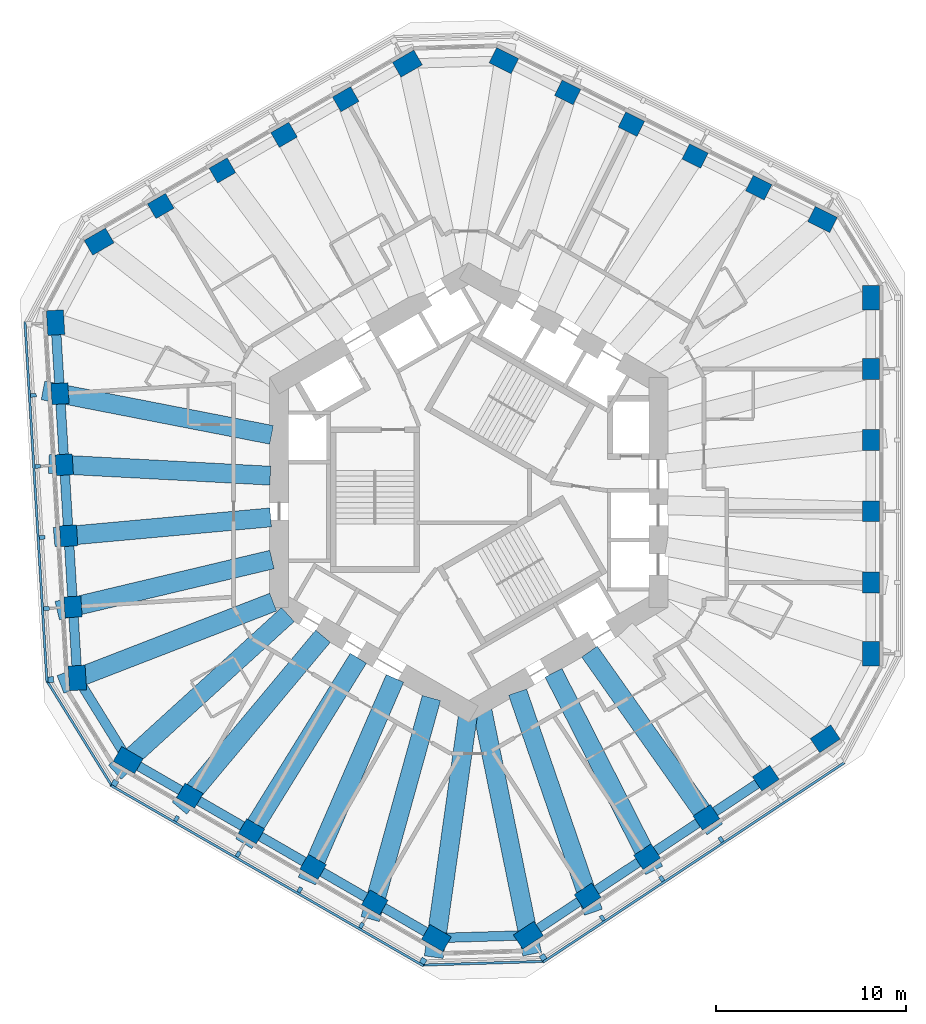
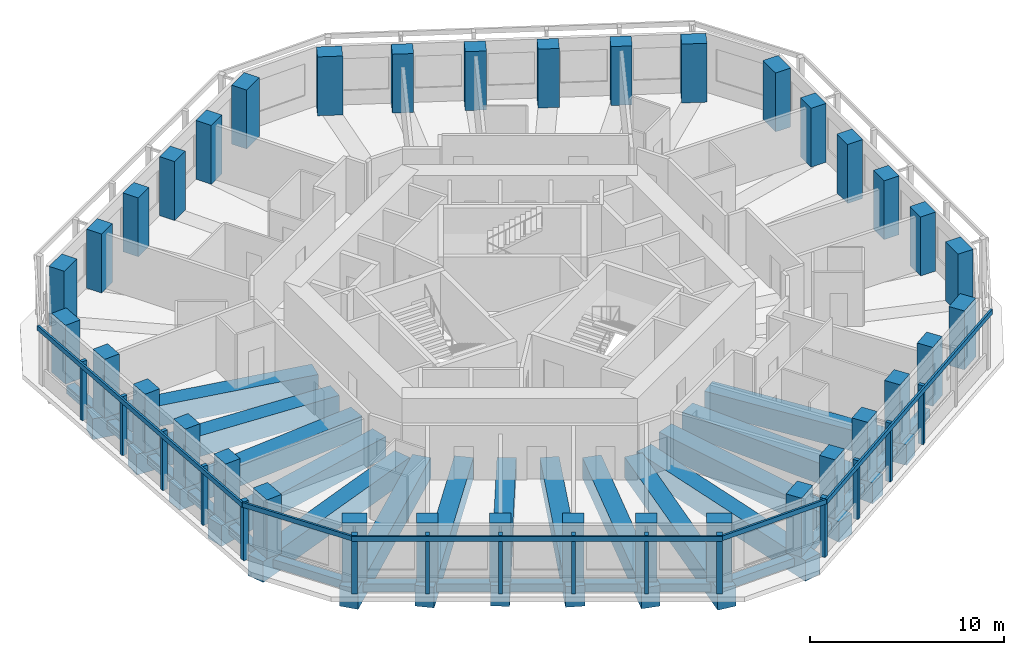
# One storey, part 1 of 12: 36 columns, 31 beams, 20 members, 5 elements without a shape of their own.
"""IFC4 building model written with IfcOpenShell, lengths in metres."""

import ifcopenshell
import ifcopenshell.guid

model = None  # the IFC model being written
_history = None  # IfcOwnerHistory: only IFC2X3 demands one
_inside = {}  # id of a spatial element -> (the spatial element, [elements in it])
_under = {}  # id of a project, library or spatial element -> (it, [spatial elements below it])
_declared = {}  # id of a project -> (the project, [libraries it declares])
_typed = {}  # id of a type object -> (the type object, [elements of that type])
_made_of = {}  # id of a material, layer set ... -> (it, [elements and type objects made of it])


def new_model(schema):
    """Start an empty IFC model of exactly this schema.

    Asked for "IFC4X3", IfcOpenShell would pick the latest addendum, in which some entities
    have other attributes; the version numbers below select the first issue.
    IFC2X3 requires an IfcOwnerHistory on every rooted entity: one is made here for all.
    """
    global model, _history
    if schema == "IFC4X3":
        model = ifcopenshell.file(schema_version=(4, 3, 0, 0))
    else:
        model = ifcopenshell.file(schema=schema)
    _inside.clear()
    _under.clear()
    _declared.clear()
    _typed.clear()
    _made_of.clear()
    _history = None
    if model.schema == "IFC2X3":
        org = make("IfcOrganization", Name="unknown")
        user = make(
            "IfcPersonAndOrganization",
            ThePerson=make("IfcPerson", FamilyName="unknown"),
            TheOrganization=org,
        )
        app = make(
            "IfcApplication",
            ApplicationDeveloper=org,
            Version="unknown",
            ApplicationFullName="unknown",
            ApplicationIdentifier="unknown",
        )
        _history = make(
            "IfcOwnerHistory",
            OwningUser=user,
            OwningApplication=app,
            ChangeAction="ADDED",
            CreationDate=0,
        )
    return model


def make(cls, **values):
    """One entity of the class cls with the attributes given. An attribute that is None is left unset."""
    return model.create_entity(
        cls, **{name: value for name, value in values.items() if value is not None}
    )


def rooted(cls, **values):
    """An entity with a GlobalId (a new one), such as an element, a storey or a relation."""
    return make(cls, GlobalId=ifcopenshell.guid.new(), OwnerHistory=_history, **values)


def si_unit(unit_type, name, prefix=None):
    """IfcSIUnit, for example si_unit("LENGTHUNIT", "METRE", prefix="MILLI")."""
    return make("IfcSIUnit", UnitType=unit_type, Prefix=prefix, Name=name)


def assignment(units):
    """IfcUnitAssignment: the units of a project."""
    return None if units is None else make("IfcUnitAssignment", Units=units)


def point(xyz):
    """IfcCartesianPoint."""
    return None if xyz is None else make("IfcCartesianPoint", Coordinates=xyz)


def direction(xyz):
    """IfcDirection."""
    return None if xyz is None else make("IfcDirection", DirectionRatios=xyz)


def frame(location, z_axis=None, x_axis=None):
    """IfcAxis2Placement3D, a coordinate frame: its origin and axes. An axis left out is left unset."""
    return make(
        "IfcAxis2Placement3D",
        Location=point(location),
        Axis=direction(z_axis),
        RefDirection=direction(x_axis),
    )


def frame_2d(location, x_axis=None):
    """IfcAxis2Placement2D, a coordinate frame in the plane: its origin and x axis."""
    return make(
        "IfcAxis2Placement2D", Location=point(location), RefDirection=direction(x_axis)
    )


def origin():
    """The frame at (0, 0, 0) with its axes left unset."""
    return frame((0.0, 0.0, 0.0))


def origin_2d():
    """The frame at (0, 0) in the plane with its x axis left unset."""
    return frame_2d((0.0, 0.0))


def place(relative_to, where):
    """IfcLocalPlacement: puts the frame where relative to a parent placement (None: the world)."""
    return make(
        "IfcLocalPlacement", PlacementRelTo=relative_to, RelativePlacement=where
    )


def context(
    kind, dimensions, precision=None, world=None, true_north=None, identifier=None
):
    """IfcGeometricRepresentationContext, for example the 3D "Model" context."""
    return make(
        "IfcGeometricRepresentationContext",
        ContextIdentifier=identifier,
        ContextType=kind,
        CoordinateSpaceDimension=dimensions,
        Precision=precision,
        WorldCoordinateSystem=world,
        TrueNorth=true_north,
    )


def subcontext(parent, identifier, kind, view, scale=None):
    """IfcGeometricRepresentationSubContext, for example "Body" below "Model"."""
    return make(
        "IfcGeometricRepresentationSubContext",
        ContextIdentifier=identifier,
        ContextType=kind,
        ParentContext=parent,
        TargetScale=scale,
        TargetView=view,
    )


def project(units=None, contexts=None):
    """IfcProject with its units and contexts."""
    return rooted(
        "IfcProject",
        Name="project",
        RepresentationContexts=contexts,
        UnitsInContext=assignment(units),
    )


def spatial(cls, under=None, at=None, **own):
    """A site, building, storey or space (cls), placed at a placement, below another one or the project."""
    s = rooted(cls, ObjectPlacement=at, **own)
    if under is not None:
        _under.setdefault(under.id(), (under, []))[1].append(s)
    return s


def profile(cls, at=None, kind="AREA", **sizes):
    """A parametric profile (cls). Its sizes go by their IFC names, for example OverallWidth=200.0."""
    return make(cls, ProfileType=kind, Position=at, **sizes)


def rectangle(**sizes):
    """IfcRectangleProfileDef."""
    return profile("IfcRectangleProfileDef", **sizes)


def extrude(swept, where, along, depth):
    """IfcExtrudedAreaSolid: the profile swept, set in the frame where, extruded along a direction by depth."""
    return make(
        "IfcExtrudedAreaSolid",
        SweptArea=swept,
        Position=where,
        ExtrudedDirection=direction(along),
        Depth=depth,
    )


def shape(context_of_items, identifier, shape_type, items):
    """IfcShapeRepresentation: the items that make up one representation, for example the "Body"."""
    return make(
        "IfcShapeRepresentation",
        ContextOfItems=context_of_items,
        RepresentationIdentifier=identifier,
        RepresentationType=shape_type,
        Items=items,
    )


def material(Name=None, Category=None):
    """IfcMaterial."""
    return make("IfcMaterial", Name=Name, Category=Category)


def material_profile(
    of_material, cross_section, Name=None, Category=None, Priority=None
):
    """IfcMaterialProfile: a cross section and its material."""
    return make(
        "IfcMaterialProfile",
        Name=Name,
        Material=of_material,
        Profile=cross_section,
        Priority=Priority,
        Category=Category,
    )


def profile_set(profiles, Name=None, composite=None):
    """IfcMaterialProfileSet."""
    return make(
        "IfcMaterialProfileSet",
        Name=Name,
        MaterialProfiles=profiles,
        CompositeProfile=composite,
    )


def made_of(thing, what):
    """Note that an element or type object is made of a material, layer set ...; save() writes the relation."""
    if what is not None:
        _made_of.setdefault(what.id(), (what, []))[1].append(thing)
    return thing


def type_object(cls, material=None, **own):
    """A type object (cls), such as IfcWallType, which elements share."""
    return made_of(rooted(cls, **own), material)


def element(
    cls,
    number,
    at=None,
    inside=None,
    cuts=None,
    type_object=None,
    material=None,
    context=None,
    identifier="Body",
    shape_type=None,
    held_by="IfcProductDefinitionShape",
    body=None,
    shapes=None,
    **own,
):
    """One element of the class cls, such as IfcWall. Its Tag is "e" and its number.

    at: its placement. inside: the storey or other place that contains it. cuts: it is an
    opening in that element (IfcRelVoidsElement). A single representation is given by context,
    identifier, shape_type and body (its items); several are given by shapes. held_by: the class
    of the entity that holds the representations. save() writes the other relations.
    """
    e = rooted(cls, Tag="e%d" % number, ObjectPlacement=at, **own)
    if body is not None:
        shapes = [shape(context, identifier, shape_type, body)]
    if shapes is not None:
        e.Representation = make(held_by, Representations=shapes)
    if inside is not None:
        _inside.setdefault(inside.id(), (inside, []))[1].append(e)
    if cuts is not None:
        rooted(
            "IfcRelVoidsElement", RelatingBuildingElement=cuts, RelatedOpeningElement=e
        )
    if type_object is not None:
        _typed.setdefault(type_object.id(), (type_object, []))[1].append(e)
    return made_of(e, material)


def aggregate(whole, parts):
    """IfcRelAggregates: a whole, such as a stair, and the parts it consists of."""
    return rooted("IfcRelAggregates", RelatingObject=whole, RelatedObjects=parts)


def save(model, path):
    """Write the relations noted so far, then the file.

    IfcRelAggregates (storeys below a building ...), IfcRelContainedInSpatialStructure (elements
    in a storey), IfcRelDefinesByType, IfcRelAssociatesMaterial and IfcRelDeclares: one each for
    every whole, place, type object, material and project.
    """
    for whole, parts in _under.values():
        aggregate(whole, parts)
    for where, things in _inside.values():
        rooted(
            "IfcRelContainedInSpatialStructure",
            RelatedElements=things,
            RelatingStructure=where,
        )
    for kind, things in _typed.values():
        rooted("IfcRelDefinesByType", RelatedObjects=things, RelatingType=kind)
    for what, things in _made_of.values():
        rooted("IfcRelAssociatesMaterial", RelatedObjects=things, RelatingMaterial=what)
    for by, libraries in _declared.values():
        rooted("IfcRelDeclares", RelatingContext=by, RelatedDefinitions=libraries)
    model.write(path)


model = new_model("IFC4")

# Units and contexts
model_context = context("Model", 3, precision=1e-05, world=origin(), true_north=direction((0.0, 1.0)))
body_context = subcontext(model_context, "Body", "Model", "MODEL_VIEW")
ifc_project = project(units=[si_unit("LENGTHUNIT", "METRE"), si_unit("AREAUNIT", "SQUARE_METRE"), si_unit("VOLUMEUNIT", "CUBIC_METRE"), si_unit("PLANEANGLEUNIT", "RADIAN"), si_unit("MASSUNIT", "GRAM", prefix="KILO")], contexts=[model_context])

# Site, building, storey
site_placement = place(None, origin())
site = spatial("IfcSite", under=ifc_project, at=site_placement, CompositionType="ELEMENT")
building_placement = place(site_placement, origin())
building = spatial("IfcBuilding", under=site, at=building_placement, Name="Vanh Sen Convention Tower", CompositionType="ELEMENT")
storey_placement = place(building_placement, frame((0.0, 0.0, 124.39990234375)))
storey = spatial("IfcBuildingStorey", under=building, at=storey_placement, Name="L30", CompositionType="ELEMENT", Elevation=124.39990234375)

# Columns
ifc_material_1 = material(Name="Concrete C80/95", Category="concrete")
ifc_material_profile_1 = material_profile(ifc_material_1, rectangle(XDim=1.10009765625, YDim=0.89990234375, at=origin_2d()), Name="RC 1100X900")
ifc_profile_set_1 = profile_set([ifc_material_profile_1], Name="Concrete C80/95")
column_type_1 = type_object("IfcColumnType", Name="Facade column 1100 x 900 C80/95", PredefinedType="COLUMN", material=ifc_profile_set_1)
for number, where, z_axis, x_axis, name in (
    (1, (21.199951171875, -4.746826171875, 0.0), (0.0, 0.0, 1.0), (0.0, 1.0, 0.0), "Facade column 02 L30"),
    (2, (21.199951171875, -0.992919921875, 0.0), (0.0, 0.0, 1.0), (0.0, 1.0, 0.0), "Facade column 03 L30"),
    (3, (21.199951171875, 2.76123046875, 0.0), (0.0, 0.0, 1.0), (0.0, 1.0, 0.0), "Facade column 04 L30"),
    (4, (21.199951171875, 6.515380859375, 0.0), (0.0, 0.0, 1.0), (0.0, 1.0, 0.0), "Facade column 05 L30"),
    (5, (15.290283203125, 16.0654296875, 0.0), (0.0, 0.0, 1.0), (-0.894934361602, 0.44619781311, 0.0), "Facade column 08 L30"),
    (6, (11.9306640625, 17.740478515625, 0.0), (0.0, 0.0, 1.0), (-0.894934361602, 0.44619781311, 0.0), "Facade column 09 L30"),
    (7, (8.57080078125, 19.41552734375, 0.0), (0.0, 0.0, 1.0), (-0.894934361602, 0.44619781311, 0.0), "Facade column 10 L30"),
    (8, (5.211181640625, 21.0908203125, 0.0), (0.0, 0.0, 1.0), (-0.894934361602, 0.44619781311, 0.0), "Facade column 11 L30"),
    (9, (-6.489013671875, 20.733154296875, 0.0), (0.0, 0.0, 1.0), (-0.866025403784, -0.5, 0.0), "Facade column 14 L30"),
    (10, (-9.740234375, 18.856201171875, 0.0), (0.0, 0.0, 1.0), (-0.866025403784, -0.5, 0.0), "Facade column 15 L30"),
    (11, (-12.991455078125, 16.97900390625, 0.0), (0.0, 0.0, 1.0), (-0.866025403784, -0.5, 0.0), "Facade column 16 L30"),
    (12, (-16.242431640625, 15.10205078125, 0.0), (0.0, 0.0, 1.0), (-0.866025403784, -0.5, 0.0), "Facade column 17 L30"),
    (13, (-21.55810546875, 5.208984375, 0.0), (0.0, 0.0, 1.0), (0.061048539535, -0.998134798422, 0.0), "Facade column 20 L30"),
    (14, (-21.3291015625, 1.4619140625, 0.0), (0.0, 0.0, 1.0), (0.061048539535, -0.998134798422, 0.0), "Facade column 21 L30"),
    (15, (-21.099853515625, -2.28515625, 0.0), (0.0, 0.0, 1.0), (0.061048539535, -0.998134798422, 0.0), "Facade column 22 L30"),
    (16, (-20.87060546875, -6.0322265625, 0.0), (0.0, 0.0, 1.0), (0.061048539535, -0.998134798422, 0.0), "Facade column 23 L30"),
    (17, (-14.7109375, -15.986328125, 0.0), (0.0, 0.0, 1.0), (0.866025403784, -0.5, 0.0), "Facade column 26 L30"),
    (18, (-11.459716796875, -17.86328125, 0.0), (0.0, 0.0, 1.0), (0.866025403784, -0.5, 0.0), "Facade column 27 L30"),
    (19, (-8.20849609375, -19.740478515625, 0.0), (0.0, 0.0, 1.0), (0.866025403784, -0.5, 0.0), "Facade column 28 L30"),
    (20, (-4.95751953125, -21.617431640625, 0.0), (0.0, 0.0, 1.0), (0.866025403784, -0.5, 0.0), "Facade column 29 L30"),
    (21, (6.267822265625, -21.2744140625, 0.0), (0.0, 0.0, 1.0), (0.833885822067, 0.551936985312, 0.0), "Facade column 32 L30"),
    (22, (9.3984375, -19.202392578125, 0.0), (0.0, 0.0, 1.0), (0.833885822067, 0.551936985312, 0.0), "Facade column 33 L30"),
    (23, (12.52880859375, -17.13037109375, 0.0), (0.0, 0.0, 1.0), (0.833885822067, 0.551936985312, 0.0), "Facade column 34 L30"),
    (24, (15.659423828125, -15.058349609375, 0.0), (0.0, 0.0, 1.0), (0.833885822067, 0.551936985312, 0.0), "Facade column 35 L30"),
):
    element("IfcColumn", number, at=place(storey_placement, frame(where, z_axis=z_axis, x_axis=x_axis)), inside=storey, type_object=column_type_1, Name=name, PredefinedType="COLUMN", context=body_context, shape_type="SweptSolid", body=[
        extrude(rectangle(XDim=1.10009765625, YDim=0.89990234375, at=origin_2d()), origin(), (0.0, 0.0, 1.0), 3.7001953125),
    ])
ifc_material_profile_2 = material_profile(ifc_material_1, rectangle(XDim=1.300048828125, YDim=0.89990234375, at=origin_2d()), Name="RC 1300X900")
ifc_profile_set_2 = profile_set([ifc_material_profile_2], Name="Concrete C80/95")
column_type_2 = type_object("IfcColumnType", Name="Facade corner column 1300 x 900 C80/95", PredefinedType="COLUMN", material=ifc_profile_set_2)
for number, where, z_axis, x_axis, name in (
    (25, (21.199951171875, -8.5009765625, 0.0), (0.0, 0.0, 1.0), (0.0, 1.0, 0.0), "Facade column 01 L30"),
    (26, (21.199951171875, 10.26953125, 0.0), (0.0, 0.0, 1.0), (0.0, 1.0, 0.0), "Facade column 06 L30"),
    (27, (18.64990234375, 14.390380859375, 0.0), (0.0, 0.0, 1.0), (-0.894934361602, 0.44619781311, 0.0), "Facade column 07 L30"),
    (28, (1.8515625, 22.765625, 0.0), (0.0, 0.0, 1.0), (-0.894934361602, 0.44619781311, 0.0), "Facade column 12 L30"),
    (29, (-3.23779296875, 22.610107421875, 0.0), (0.0, 0.0, 1.0), (-0.866025403784, -0.5, 0.0), "Facade column 13 L30"),
    (30, (-19.49365234375, 13.22509765625, 0.0), (0.0, 0.0, 1.0), (-0.866025403784, -0.5, 0.0), "Facade column 18 L30"),
    (31, (-21.787353515625, 8.956298828125, 0.0), (0.0, 0.0, 1.0), (0.061048539535, -0.998134798422, 0.0), "Facade column 19 L30"),
    (32, (-20.6416015625, -9.779296875, 0.0), (0.0, 0.0, 1.0), (0.061048539535, -0.998134798422, 0.0), "Facade column 24 L30"),
    (33, (-17.962158203125, -14.109130859375, 0.0), (0.0, 0.0, 1.0), (0.866025403784, -0.5, 0.0), "Facade column 25 L30"),
    (34, (-1.706298828125, -23.494384765625, 0.0), (0.0, 0.0, 1.0), (0.866025403784, -0.5, 0.0), "Facade column 30 L30"),
    (35, (3.137451171875, -23.346435546875, 0.0), (0.0, 0.0, 1.0), (0.833885822067, 0.551936985312, 0.0), "Facade column 31 L30"),
    (36, (18.789794921875, -12.986328125, 0.0), (0.0, 0.0, 1.0), (0.833885822067, 0.551936985312, 0.0), "Facade column 36 L30"),
):
    element("IfcColumn", number, at=place(storey_placement, frame(where, z_axis=z_axis, x_axis=x_axis)), inside=storey, type_object=column_type_2, Name=name, PredefinedType="COLUMN", context=body_context, shape_type="SweptSolid", body=[
        extrude(rectangle(XDim=1.300048828125, YDim=0.89990234375, at=origin_2d()), origin(), (0.0, 0.0, 1.0), 3.7001953125),
    ])

# Curtain wall, member
ifc_material_2 = material(Name="Concrete C50/60", Category="concrete")
curtain_wall_type = type_object("IfcCurtainWallType", Name="Outer skin office zone", PredefinedType="NOTDEFINED", material=ifc_material_2)
curtain_wall_1_placement = place(storey_placement, origin())
curtain_wall_1 = element("IfcCurtainWall", 37, at=curtain_wall_1_placement, inside=storey, type_object=curtain_wall_type, Name="OUTER SKIN W L30", PredefinedType="NOTDEFINED")
ifc_material_profile_3 = material_profile(ifc_material_2, rectangle(XDim=0.300048828125, YDim=0.300048828125, at=origin_2d()), Name="Outer skin precast corner fin 300 x 300")
ifc_profile_set_3 = profile_set([ifc_material_profile_3], Name="Concrete C50/60")
member_type_1 = type_object("IfcMemberType", Name="Outer skin precast corner fin 300 x 300", PredefinedType="MULLION", material=ifc_profile_set_3)
member_1_placement = place(storey_placement, frame((-22.038818359375, -9.864990234375, 0.0), z_axis=(0.0, 0.0, 1.0), x_axis=(0.061048539535, -0.998134798422, 0.0)))
member_1 = element("IfcMember", 38, at=member_1_placement, type_object=member_type_1, Name="OUTER SKIN CORNER FIN 6 W L30", PredefinedType="MULLION", context=body_context, shape_type="SweptSolid", body=[
    extrude(rectangle(XDim=0.300048828125, YDim=0.300048828125, at=origin_2d()), origin(), (0.0, 0.0, 1.0), 3.7001953125),
])

# Curtain wall, members
curtain_wall_2_placement = place(storey_placement, origin())
curtain_wall_2 = element("IfcCurtainWall", 39, at=curtain_wall_2_placement, inside=storey, type_object=curtain_wall_type, Name="OUTER SKIN SW L30", PredefinedType="NOTDEFINED")
member_2_placement = place(storey_placement, frame((-18.662109375, -15.321533203125, 0.0), z_axis=(0.0, 0.0, 1.0), x_axis=(0.866025403784, -0.5, 0.0)))
member_2 = element("IfcMember", 40, at=member_2_placement, type_object=member_type_1, Name="OUTER SKIN CORNER FIN 1 SW L30", PredefinedType="MULLION", context=body_context, shape_type="SweptSolid", body=[
    extrude(rectangle(XDim=0.300048828125, YDim=0.300048828125, at=origin_2d()), origin(), (0.0, 0.0, 1.0), 3.7001953125),
])
member_3_placement = place(storey_placement, frame((-2.40625, -24.706787109375, 0.0), z_axis=(0.0, 0.0, 1.0), x_axis=(0.866025403784, -0.5, 0.0)))
member_3 = element("IfcMember", 41, at=member_3_placement, type_object=member_type_1, Name="OUTER SKIN CORNER FIN 6 SW L30", PredefinedType="MULLION", context=body_context, shape_type="SweptSolid", body=[
    extrude(rectangle(XDim=0.300048828125, YDim=0.300048828125, at=origin_2d()), origin(), (0.0, 0.0, 1.0), 3.7001953125),
])

# Curtain wall, member
curtain_wall_3_placement = place(storey_placement, origin())
curtain_wall_3 = element("IfcCurtainWall", 42, at=curtain_wall_3_placement, inside=storey, type_object=curtain_wall_type, Name="OUTER SKIN SE L30", PredefinedType="NOTDEFINED")
member_4_placement = place(storey_placement, frame((3.91015625, -24.513916015625, 0.0), z_axis=(0.0, 0.0, 1.0), x_axis=(0.833885822067, 0.551936985312, 0.0)))
member_4 = element("IfcMember", 43, at=member_4_placement, type_object=member_type_1, Name="OUTER SKIN CORNER FIN 1 SE L30", PredefinedType="MULLION", context=body_context, shape_type="SweptSolid", body=[
    extrude(rectangle(XDim=0.300048828125, YDim=0.300048828125, at=origin_2d()), origin(), (0.0, 0.0, 1.0), 3.7001953125),
])

# Member
ifc_material_profile_4 = material_profile(ifc_material_2, rectangle(XDim=0.199951171875, YDim=0.300048828125, at=origin_2d()), Name="Outer skin precast fin 200 x 300")
ifc_profile_set_4 = profile_set([ifc_material_profile_4], Name="Concrete C50/60")
member_type_2 = type_object("IfcMemberType", Name="Outer skin precast fin 200 x 300", PredefinedType="MULLION", material=ifc_profile_set_4)
member_5_placement = place(storey_placement, frame((-22.95556640625, 5.12353515625, 0.0), z_axis=(0.0, 0.0, 1.0), x_axis=(0.061048539535, -0.998134798422, 0.0)))
member_5 = element("IfcMember", 44, at=member_5_placement, type_object=member_type_2, Name="OUTER SKIN fin 2 W L30", PredefinedType="MULLION", context=body_context, shape_type="SweptSolid", body=[
    extrude(rectangle(XDim=0.199951171875, YDim=0.300048828125, at=origin_2d()), origin(), (0.0, 0.0, 1.0), 3.7001953125),
])

member_6_placement = place(storey_placement, frame((-22.726318359375, 1.37646484375, 0.0), z_axis=(0.0, 0.0, 1.0), x_axis=(0.061048539535, -0.998134798422, 0.0)))
member_6 = element("IfcMember", 45, at=member_6_placement, type_object=member_type_2, Name="OUTER SKIN fin 3 W L30", PredefinedType="MULLION", context=body_context, shape_type="SweptSolid", body=[
    extrude(rectangle(XDim=0.199951171875, YDim=0.300048828125, at=origin_2d()), origin(), (0.0, 0.0, 1.0), 3.7001953125),
])

member_7_placement = place(storey_placement, frame((-22.497314453125, -2.37060546875, 0.0), z_axis=(0.0, 0.0, 1.0), x_axis=(0.061048539535, -0.998134798422, 0.0)))
member_7 = element("IfcMember", 46, at=member_7_placement, type_object=member_type_2, Name="OUTER SKIN fin 4 W L30", PredefinedType="MULLION", context=body_context, shape_type="SweptSolid", body=[
    extrude(rectangle(XDim=0.199951171875, YDim=0.300048828125, at=origin_2d()), origin(), (0.0, 0.0, 1.0), 3.7001953125),
])

member_8_placement = place(storey_placement, frame((-22.26806640625, -6.117919921875, 0.0), z_axis=(0.0, 0.0, 1.0), x_axis=(0.061048539535, -0.998134798422, 0.0)))
member_8 = element("IfcMember", 47, at=member_8_placement, type_object=member_type_2, Name="OUTER SKIN fin 5 W L30", PredefinedType="MULLION", context=body_context, shape_type="SweptSolid", body=[
    extrude(rectangle(XDim=0.199951171875, YDim=0.300048828125, at=origin_2d()), origin(), (0.0, 0.0, 1.0), 3.7001953125),
])

member_9_placement = place(storey_placement, frame((-15.410888671875, -17.19873046875, 0.0), z_axis=(0.0, 0.0, 1.0), x_axis=(0.866025403784, -0.5, 0.0)))
member_9 = element("IfcMember", 48, at=member_9_placement, type_object=member_type_2, Name="OUTER SKIN fin 2 SW L30", PredefinedType="MULLION", context=body_context, shape_type="SweptSolid", body=[
    extrude(rectangle(XDim=0.199951171875, YDim=0.300048828125, at=origin_2d()), origin(), (0.0, 0.0, 1.0), 3.7001953125),
])

member_10_placement = place(storey_placement, frame((-12.159912109375, -19.07568359375, 0.0), z_axis=(0.0, 0.0, 1.0), x_axis=(0.866025403784, -0.5, 0.0)))
member_10 = element("IfcMember", 49, at=member_10_placement, type_object=member_type_2, Name="OUTER SKIN fin 3 SW L30", PredefinedType="MULLION", context=body_context, shape_type="SweptSolid", body=[
    extrude(rectangle(XDim=0.199951171875, YDim=0.300048828125, at=origin_2d()), origin(), (0.0, 0.0, 1.0), 3.7001953125),
])

member_11_placement = place(storey_placement, frame((-8.90869140625, -20.952880859375, 0.0), z_axis=(0.0, 0.0, 1.0), x_axis=(0.866025403784, -0.5, 0.0)))
member_11 = element("IfcMember", 50, at=member_11_placement, type_object=member_type_2, Name="OUTER SKIN fin 4 SW L30", PredefinedType="MULLION", context=body_context, shape_type="SweptSolid", body=[
    extrude(rectangle(XDim=0.199951171875, YDim=0.300048828125, at=origin_2d()), origin(), (0.0, 0.0, 1.0), 3.7001953125),
])

member_12_placement = place(storey_placement, frame((-5.657470703125, -22.829833984375, 0.0), z_axis=(0.0, 0.0, 1.0), x_axis=(0.866025403784, -0.5, 0.0)))
member_12 = element("IfcMember", 51, at=member_12_placement, type_object=member_type_2, Name="OUTER SKIN fin 5 SW L30", PredefinedType="MULLION", context=body_context, shape_type="SweptSolid", body=[
    extrude(rectangle(XDim=0.199951171875, YDim=0.300048828125, at=origin_2d()), origin(), (0.0, 0.0, 1.0), 3.7001953125),
])

member_13_placement = place(storey_placement, frame((7.04052734375, -22.44189453125, 0.0), z_axis=(0.0, 0.0, 1.0), x_axis=(0.833885822067, 0.551936985312, 0.0)))
member_13 = element("IfcMember", 52, at=member_13_placement, type_object=member_type_2, Name="OUTER SKIN fin 2 SE L30", PredefinedType="MULLION", context=body_context, shape_type="SweptSolid", body=[
    extrude(rectangle(XDim=0.199951171875, YDim=0.300048828125, at=origin_2d()), origin(), (0.0, 0.0, 1.0), 3.7001953125),
])

member_14_placement = place(storey_placement, frame((10.171142578125, -20.369873046875, 0.0), z_axis=(0.0, 0.0, 1.0), x_axis=(0.833885822067, 0.551936985312, 0.0)))
member_14 = element("IfcMember", 53, at=member_14_placement, type_object=member_type_2, Name="OUTER SKIN fin 3 SE L30", PredefinedType="MULLION", context=body_context, shape_type="SweptSolid", body=[
    extrude(rectangle(XDim=0.199951171875, YDim=0.300048828125, at=origin_2d()), origin(), (0.0, 0.0, 1.0), 3.7001953125),
])

member_15_placement = place(storey_placement, frame((13.301513671875, -18.2978515625, 0.0), z_axis=(0.0, 0.0, 1.0), x_axis=(0.833885822067, 0.551936985312, 0.0)))
member_15 = element("IfcMember", 54, at=member_15_placement, type_object=member_type_2, Name="OUTER SKIN fin 4 SE L30", PredefinedType="MULLION", context=body_context, shape_type="SweptSolid", body=[
    extrude(rectangle(XDim=0.199951171875, YDim=0.300048828125, at=origin_2d()), origin(), (0.0, 0.0, 1.0), 3.7001953125),
])

ifc_material_profile_5 = material_profile(ifc_material_2, rectangle(XDim=0.1201171875, YDim=0.300048828125, at=origin_2d()), Name="Outer skin precast spandrel band 300 x 120")
ifc_profile_set_5 = profile_set([ifc_material_profile_5], Name="Concrete C50/60")
member_type_3 = type_object("IfcMemberType", Name="Outer skin precast spandrel band 300 x 120", PredefinedType="USERDEFINED", material=ifc_profile_set_5)
member_16_placement = place(storey_placement, frame((-23.403564453125, 9.007568359375, 3.550048828125), z_axis=(0.061052799403, -0.998134537868, 0.0), x_axis=(0.998134537868, 0.061052799403, 0.0)))
member_16 = element("IfcMember", 55, at=member_16_placement, type_object=member_type_3, Name="OUTER SKIN spandrel band W L30", ObjectType="TRANSOM", PredefinedType="USERDEFINED", context=body_context, shape_type="SweptSolid", body=[
    extrude(rectangle(XDim=0.1201171875, YDim=0.300048828125, at=origin_2d()), origin(), (0.0, 0.0, 1.0), 19.070556640625),
])

aggregate(curtain_wall_1, [member_5, member_6, member_7, member_8, member_1, member_16])

# Curtain wall, member
curtain_wall_4_placement = place(storey_placement, origin())
curtain_wall_4 = element("IfcCurtainWall", 56, at=curtain_wall_4_placement, inside=storey, type_object=curtain_wall_type, Name="OUTER SKIN CH4 L30", PredefinedType="NOTDEFINED")
member_17_placement = place(storey_placement, frame((-22.217529296875, -9.975341796875, 3.550048828125), z_axis=(0.526207913146, -0.85035594438, 0.0), x_axis=(0.85035594438, 0.526207913146, 0.0)))
member_17 = element("IfcMember", 57, at=member_17_placement, type_object=member_type_3, Name="OUTER SKIN spandrel band CH4 L30", ObjectType="TRANSOM", PredefinedType="USERDEFINED", context=body_context, shape_type="SweptSolid", body=[
    extrude(rectangle(XDim=0.1201171875, YDim=0.300048828125, at=origin_2d()), origin(), (0.0, 0.0, 1.0), 6.4169921875),
])
aggregate(curtain_wall_4, [member_17])

# Member
member_18_placement = place(storey_placement, frame((-18.89697265625, -15.428466796875, 3.550048828125), z_axis=(0.866023136587, -0.500003926881, 0.0), x_axis=(0.500003926881, 0.866023136587, 0.0)))
member_18 = element("IfcMember", 58, at=member_18_placement, type_object=member_type_3, Name="OUTER SKIN spandrel band SW L30", ObjectType="TRANSOM", PredefinedType="USERDEFINED", context=body_context, shape_type="SweptSolid", body=[
    extrude(rectangle(XDim=0.1201171875, YDim=0.300048828125, at=origin_2d()), origin(), (0.0, 0.0, 1.0), 19.070556640625),
])

aggregate(curtain_wall_2, [member_2, member_9, member_10, member_11, member_12, member_3, member_18])

# Curtain wall, member
curtain_wall_5_placement = place(storey_placement, origin())
curtain_wall_5 = element("IfcCurtainWall", 59, at=curtain_wall_5_placement, inside=storey, type_object=curtain_wall_type, Name="OUTER SKIN CH5 L30", PredefinedType="NOTDEFINED")
member_19_placement = place(storey_placement, frame((-2.39990234375, -24.916748046875, 3.550048828125), z_axis=(0.99953413443, 0.030520716071, 0.0), x_axis=(-0.030520716071, 0.99953413443, 0.0)))
member_19 = element("IfcMember", 60, at=member_19_placement, type_object=member_type_3, Name="OUTER SKIN spandrel band CH5 L30", ObjectType="TRANSOM", PredefinedType="USERDEFINED", context=body_context, shape_type="SweptSolid", body=[
    extrude(rectangle(XDim=0.1201171875, YDim=0.300048828125, at=origin_2d()), origin(), (0.0, 0.0, 1.0), 6.3193359375),
])
aggregate(curtain_wall_5, [member_19])

# Member
member_20_placement = place(storey_placement, frame((3.90087890625, -24.771728515625, 3.550048828125), z_axis=(0.833891134859, 0.551928958475, 0.0), x_axis=(-0.551928958475, 0.833891134859, 0.0)))
member_20 = element("IfcMember", 61, at=member_20_placement, type_object=member_type_3, Name="OUTER SKIN spandrel band SE L30", ObjectType="TRANSOM", PredefinedType="USERDEFINED", context=body_context, shape_type="SweptSolid", body=[
    extrude(rectangle(XDim=0.1201171875, YDim=0.300048828125, at=origin_2d()), origin(), (0.0, 0.0, 1.0), 19.070556640625),
])

aggregate(curtain_wall_3, [member_4, member_13, member_14, member_15, member_20])

# Beams
ifc_material_3 = material(Name="Concrete C50/60", Category="concrete")
ifc_material_profile_6 = material_profile(ifc_material_3, rectangle(XDim=0.5, YDim=0.5, at=origin_2d()), Name="RC 500X500")
ifc_profile_set_6 = profile_set([ifc_material_profile_6], Name="Concrete C50/60")
beam_type_1 = type_object("IfcBeamType", Name="Spandrel beam 500 x 500", PredefinedType="SPANDREL", material=ifc_profile_set_6)
beam_1_placement = place(storey_placement, frame((-21.760986328125, 8.523681640625, -0.52978515625), z_axis=(0.061077247431, -0.998133042157, 0.0), x_axis=(0.998133042157, 0.061077247431, 0.0)))
element("IfcBeam", 62, at=beam_1_placement, inside=storey, type_object=beam_type_1, Name="Spandrel beam 19 L30", PredefinedType="SPANDREL", context=body_context, shape_type="SweptSolid", body=[
    extrude(rectangle(XDim=0.5, YDim=0.5, at=origin_2d()), origin(), (0.0, 0.0, 1.0), 2.8740234375),
])
beam_2_placement = place(storey_placement, frame((-21.531005859375, 4.76318359375, -0.52978515625), z_axis=(0.061082076377, -0.998132746655, 0.0), x_axis=(0.998132746655, 0.061082076377, 0.0)))
element("IfcBeam", 63, at=beam_2_placement, inside=storey, type_object=beam_type_1, Name="Spandrel beam 20 L30", PredefinedType="SPANDREL", context=body_context, shape_type="SweptSolid", body=[
    extrude(rectangle(XDim=0.5, YDim=0.5, at=origin_2d()), origin(), (0.0, 0.0, 1.0), 2.837890625),
])
beam_3_placement = place(storey_placement, frame((-21.30029296875, 0.9931640625, -0.52978515625), z_axis=(0.061019543768, -0.998136571456, 0.0), x_axis=(0.998136571456, 0.061019543768, 0.0)))
element("IfcBeam", 64, at=beam_3_placement, inside=storey, type_object=beam_type_1, Name="Spandrel beam 21 L30", PredefinedType="SPANDREL", context=body_context, shape_type="SweptSolid", body=[
    extrude(rectangle(XDim=0.5, YDim=0.5, at=origin_2d()), origin(), (0.0, 0.0, 1.0), 2.796630859375),
])
beam_4_placement = place(storey_placement, frame((-21.070068359375, -2.772216796875, -0.52978515625), z_axis=(0.061051711449, -0.998134604414, 0.0), x_axis=(0.998134604414, 0.061051711449, 0.0)))
element("IfcBeam", 65, at=beam_4_placement, inside=storey, type_object=beam_type_1, Name="Spandrel beam 22 L30", PredefinedType="SPANDREL", context=body_context, shape_type="SweptSolid", body=[
    extrude(rectangle(XDim=0.5, YDim=0.5, at=origin_2d()), origin(), (0.0, 0.0, 1.0), 2.80712890625),
])
beam_5_placement = place(storey_placement, frame((-20.8427734375, -6.490478515625, -0.52978515625), z_axis=(0.06105790243, -0.998134225719, 0.0), x_axis=(0.998134225719, 0.06105790243, 0.0)))
element("IfcBeam", 66, at=beam_5_placement, inside=storey, type_object=beam_type_1, Name="Spandrel beam 23 L30", PredefinedType="SPANDREL", context=body_context, shape_type="SweptSolid", body=[
    extrude(rectangle(XDim=0.5, YDim=0.5, at=origin_2d()), origin(), (0.0, 0.0, 1.0), 2.85498046875),
])
beam_6_placement = place(storey_placement, frame((-20.40087890625, -10.16796875, -0.52978515625), z_axis=(0.526169518739, -0.850379701986, 0.0), x_axis=(0.850379701986, 0.526169518739, 0.0)))
element("IfcBeam", 67, at=beam_6_placement, inside=storey, type_object=beam_type_1, Name="Spandrel beam 24 L30", PredefinedType="SPANDREL", context=body_context, shape_type="SweptSolid", body=[
    extrude(rectangle(XDim=0.5, YDim=0.5, at=origin_2d()), origin(), (0.0, 0.0, 1.0), 4.177734375),
])
beam_7_placement = place(storey_placement, frame((-17.580810546875, -14.329345703125, -0.52978515625), z_axis=(0.866018967109, -0.500011148483, 0.0), x_axis=(0.500011148483, 0.866018967109, 0.0)))
element("IfcBeam", 68, at=beam_7_placement, inside=storey, type_object=beam_type_1, Name="Spandrel beam 25 L30", PredefinedType="SPANDREL", context=body_context, shape_type="SweptSolid", body=[
    extrude(rectangle(XDim=0.5, YDim=0.5, at=origin_2d()), origin(), (0.0, 0.0, 1.0), 2.85498046875),
])
beam_8_placement = place(storey_placement, frame((-14.3134765625, -16.2158203125, -0.52978515625), z_axis=(0.866056706469, -0.49994577824, 0.0), x_axis=(0.49994577824, 0.866056706469, 0.0)))
element("IfcBeam", 69, at=beam_8_placement, inside=storey, type_object=beam_type_1, Name="Spandrel beam 26 L30", PredefinedType="SPANDREL", context=body_context, shape_type="SweptSolid", body=[
    extrude(rectangle(XDim=0.5, YDim=0.5, at=origin_2d()), origin(), (0.0, 0.0, 1.0), 2.807373046875),
])
beam_9_placement = place(storey_placement, frame((-11.037353515625, -18.107177734375, -0.52978515625), z_axis=(0.866021322305, -0.500007069263, 0.0), x_axis=(0.500007069263, 0.866021322305, 0.0)))
element("IfcBeam", 70, at=beam_9_placement, inside=storey, type_object=beam_type_1, Name="Spandrel beam 27 L30", PredefinedType="SPANDREL", context=body_context, shape_type="SweptSolid", body=[
    extrude(rectangle(XDim=0.5, YDim=0.5, at=origin_2d()), origin(), (0.0, 0.0, 1.0), 2.796875),
])
beam_10_placement = place(storey_placement, frame((-7.802001953125, -19.97509765625, -0.52978515625), z_axis=(0.866010792954, -0.500025305846, 0.0), x_axis=(0.500025305846, 0.866010792954, 0.0)))
element("IfcBeam", 71, at=beam_10_placement, inside=storey, type_object=beam_type_1, Name="Spandrel beam 28 L30", PredefinedType="SPANDREL", context=body_context, shape_type="SweptSolid", body=[
    extrude(rectangle(XDim=0.5, YDim=0.5, at=origin_2d()), origin(), (0.0, 0.0, 1.0), 2.837646484375),
])
beam_11_placement = place(storey_placement, frame((-4.570556640625, -21.8408203125, -0.52978515625), z_axis=(0.866028566888, -0.499994521305, 0.0), x_axis=(0.499994521305, 0.866028566888, 0.0)))
element("IfcBeam", 72, at=beam_11_placement, inside=storey, type_object=beam_type_1, Name="Spandrel beam 29 L30", PredefinedType="SPANDREL", context=body_context, shape_type="SweptSolid", body=[
    extrude(rectangle(XDim=0.5, YDim=0.5, at=origin_2d()), origin(), (0.0, 0.0, 1.0), 2.8740234375),
])
beam_12_placement = place(storey_placement, frame((-1.247314453125, -23.48046875, -0.52978515625), z_axis=(0.99953408004, 0.030522497251, 0.0), x_axis=(-0.030522497251, 0.99953408004, 0.0)))
element("IfcBeam", 73, at=beam_12_placement, inside=storey, type_object=beam_type_1, Name="Spandrel beam 30 L30", PredefinedType="SPANDREL", context=body_context, shape_type="SweptSolid", body=[
    extrude(rectangle(XDim=0.5, YDim=0.5, at=origin_2d()), origin(), (0.0, 0.0, 1.0), 3.92724609375),
])
beam_13_placement = place(storey_placement, frame((3.498779296875, -23.107421875, -0.52978515625), z_axis=(0.833875288002, 0.551952900218, 0.0), x_axis=(-0.551952900218, 0.833875288002, 0.0)))
element("IfcBeam", 74, at=beam_13_placement, inside=storey, type_object=beam_type_1, Name="Spandrel beam 31 L30", PredefinedType="SPANDREL", context=body_context, shape_type="SweptSolid", body=[
    extrude(rectangle(XDim=0.5, YDim=0.5, at=origin_2d()), origin(), (0.0, 0.0, 1.0), 2.874267578125),
])
beam_14_placement = place(storey_placement, frame((6.640380859375, -21.02783203125, -0.52978515625), z_axis=(0.833911826004, 0.551897695638, 0.0), x_axis=(-0.551897695638, 0.833911826004, 0.0)))
element("IfcBeam", 75, at=beam_14_placement, inside=storey, type_object=beam_type_1, Name="Spandrel beam 32 L30", PredefinedType="SPANDREL", context=body_context, shape_type="SweptSolid", body=[
    extrude(rectangle(XDim=0.5, YDim=0.5, at=origin_2d()), origin(), (0.0, 0.0, 1.0), 2.837890625),
])
beam_15_placement = place(storey_placement, frame((9.7900390625, -18.943359375, -0.52978515625), z_axis=(0.833885531441, 0.551937424401, 0.0), x_axis=(-0.551937424401, 0.833885531441, 0.0)))
element("IfcBeam", 76, at=beam_15_placement, inside=storey, type_object=beam_type_1, Name="Spandrel beam 33 L30", PredefinedType="SPANDREL", context=body_context, shape_type="SweptSolid", body=[
    extrude(rectangle(XDim=0.5, YDim=0.5, at=origin_2d()), origin(), (0.0, 0.0, 1.0), 2.796875),
])
beam_16_placement = place(storey_placement, frame((12.935546875, -16.861083984375, -0.52978515625), z_axis=(0.833918668103, 0.551887357157, 0.0), x_axis=(-0.551887357157, 0.833918668103, 0.0)))
element("IfcBeam", 77, at=beam_16_placement, inside=storey, type_object=beam_type_1, Name="Spandrel beam 34 L30", PredefinedType="SPANDREL", context=body_context, shape_type="SweptSolid", body=[
    extrude(rectangle(XDim=0.5, YDim=0.5, at=origin_2d()), origin(), (0.0, 0.0, 1.0), 2.807373046875),
])
ifc_material_profile_7 = material_profile(ifc_material_3, rectangle(XDim=1.0, YDim=1.300048828125, at=origin_2d()), Name="RC 1000X1300")
ifc_profile_set_7 = profile_set([ifc_material_profile_7], Name="Concrete C50/60")
beam_type_2 = type_object("IfcBeamType", Name="Transfer beam 1000 x 1300", PredefinedType="BEAM", material=ifc_profile_set_7)
beam_17_placement = place(storey_placement, frame((-22.45068359375, 5.3828125, -0.64990234375), z_axis=(0.981578009404, -0.191061800092, 0.0), x_axis=(0.191061800092, 0.981578009404, 0.0)))
element("IfcBeam", 78, at=beam_17_placement, inside=storey, type_object=beam_type_2, Name="Transfer beam 20 L30", PredefinedType="BEAM", context=body_context, shape_type="SweptSolid", body=[
    extrude(rectangle(XDim=1.0, YDim=1.300048828125, at=origin_2d()), origin(), (0.0, 0.0, 1.0), 12.277099609375),
])
beam_18_placement = place(storey_placement, frame((-22.14501953125, 1.505126953125, -0.64990234375), z_axis=(0.998593847746, -0.053012519694, 0.0), x_axis=(0.053012519694, 0.998593847746, 0.0)))
element("IfcBeam", 79, at=beam_18_placement, inside=storey, type_object=beam_type_2, Name="Transfer beam 21 L30", PredefinedType="BEAM", context=body_context, shape_type="SweptSolid", body=[
    extrude(rectangle(XDim=1.0, YDim=1.300048828125, at=origin_2d()), origin(), (0.0, 0.0, 1.0), 11.69287109375),
])
beam_19_placement = place(storey_placement, frame((-21.866943359375, -2.35498046875, -0.64990234375), z_axis=(0.995874683197, 0.090739271359, 0.0), x_axis=(-0.090739271359, 0.995874683197, 0.0)))
element("IfcBeam", 80, at=beam_19_placement, inside=storey, type_object=beam_type_2, Name="Transfer beam 22 L30", PredefinedType="BEAM", context=body_context, shape_type="SweptSolid", body=[
    extrude(rectangle(XDim=1.0, YDim=1.300048828125, at=origin_2d()), origin(), (0.0, 0.0, 1.0), 11.464599609375),
])
beam_20_placement = place(storey_placement, frame((-21.70068359375, -6.229736328125, -0.64990234375), z_axis=(0.972853240529, 0.231422929705, 0.0), x_axis=(-0.231422929705, 0.972853240529, 0.0)))
element("IfcBeam", 81, at=beam_20_placement, inside=storey, type_object=beam_type_2, Name="Transfer beam 23 L30", PredefinedType="BEAM", context=body_context, shape_type="SweptSolid", body=[
    extrude(rectangle(XDim=1.0, YDim=1.300048828125, at=origin_2d()), origin(), (0.0, 0.0, 1.0), 11.63720703125),
])
beam_21_placement = place(storey_placement, frame((-21.52880859375, -10.123046875, -0.64990234375), z_axis=(0.932503265805, 0.361161541782, 0.0), x_axis=(-0.361161541782, 0.932503265805, 0.0)))
element("IfcBeam", 82, at=beam_21_placement, inside=storey, type_object=beam_type_2, Name="Transfer beam 24 L30", PredefinedType="BEAM", context=body_context, shape_type="SweptSolid", body=[
    extrude(rectangle(XDim=1.0, YDim=1.300048828125, at=origin_2d()), origin(), (0.0, 0.0, 1.0), 12.02587890625),
])
beam_22_placement = place(storey_placement, frame((-18.66552734375, -14.75, -0.64990234375), z_axis=(0.739265904946, 0.6734136335, 0.0), x_axis=(-0.6734136335, 0.739265904946, 0.0)))
element("IfcBeam", 83, at=beam_22_placement, inside=storey, type_object=beam_type_2, Name="Transfer beam 25 L30", PredefinedType="BEAM", context=body_context, shape_type="SweptSolid", body=[
    extrude(rectangle(XDim=1.0, YDim=1.300048828125, at=origin_2d()), origin(), (0.0, 0.0, 1.0), 12.345703125),
])
beam_23_placement = place(storey_placement, frame((-15.258056640625, -16.64111328125, -0.64990234375), z_axis=(0.641196747261, 0.767376525118, 0.0), x_axis=(-0.767376525118, 0.641196747261, 0.0)))
element("IfcBeam", 84, at=beam_23_placement, inside=storey, type_object=beam_type_2, Name="Transfer beam 26 L30", PredefinedType="BEAM", context=body_context, shape_type="SweptSolid", body=[
    extrude(rectangle(XDim=1.0, YDim=1.300048828125, at=origin_2d()), origin(), (0.0, 0.0, 1.0), 11.806640625),
])
beam_24_placement = place(storey_placement, frame((-11.86474609375, -18.5185546875, -0.64990234375), z_axis=(0.525602755504, 0.850730123721, 0.0), x_axis=(-0.850730123721, 0.525602755504, 0.0)))
element("IfcBeam", 85, at=beam_24_placement, inside=storey, type_object=beam_type_2, Name="Transfer beam 27 L30", PredefinedType="BEAM", context=body_context, shape_type="SweptSolid", body=[
    extrude(rectangle(XDim=1.0, YDim=1.300048828125, at=origin_2d()), origin(), (0.0, 0.0, 1.0), 11.494873046875),
])
beam_25_placement = place(storey_placement, frame((-8.533935546875, -20.489990234375, -0.64990234375), z_axis=(0.39819727008, 0.917299806007, 0.0), x_axis=(-0.917299806007, 0.39819727008, 0.0)))
element("IfcBeam", 86, at=beam_25_placement, inside=storey, type_object=beam_type_2, Name="Transfer beam 28 L30", PredefinedType="BEAM", context=body_context, shape_type="SweptSolid", body=[
    extrude(rectangle(XDim=1.0, YDim=1.300048828125, at=origin_2d()), origin(), (0.0, 0.0, 1.0), 11.649169921875),
])
beam_26_placement = place(storey_placement, frame((-5.2001953125, -22.49365234375, -0.64990234375), z_axis=(0.266891195023, 0.963726667691, 0.0), x_axis=(-0.963726667691, 0.266891195023, 0.0)))
element("IfcBeam", 87, at=beam_26_placement, inside=storey, type_object=beam_type_2, Name="Transfer beam 29 L30", PredefinedType="BEAM", context=body_context, shape_type="SweptSolid", body=[
    extrude(rectangle(XDim=1.0, YDim=1.300048828125, at=origin_2d()), origin(), (0.0, 0.0, 1.0), 12.0966796875),
])
beam_27_placement = place(storey_placement, frame((-1.84814453125, -24.5, -0.64990234375), z_axis=(0.139785448894, 0.990181815768, 0.0), x_axis=(-0.990181815768, 0.139785448894, 0.0)))
element("IfcBeam", 88, at=beam_27_placement, inside=storey, type_object=beam_type_2, Name="Transfer beam 30 L30", PredefinedType="BEAM", context=body_context, shape_type="SweptSolid", body=[
    extrude(rectangle(XDim=1.0, YDim=1.300048828125, at=origin_2d()), origin(), (0.0, 0.0, 1.0), 12.830078125),
])
beam_28_placement = place(storey_placement, frame((3.34033203125, -24.34130859375, -0.64990234375), z_axis=(-0.199942468517, 0.979807638919, 0.0), x_axis=(-0.979807638919, -0.199942468517, 0.0)))
element("IfcBeam", 89, at=beam_28_placement, inside=storey, type_object=beam_type_2, Name="Transfer beam 31 L30", PredefinedType="BEAM", context=body_context, shape_type="SweptSolid", body=[
    extrude(rectangle(XDim=1.0, YDim=1.300048828125, at=origin_2d()), origin(), (0.0, 0.0, 1.0), 13.087158203125),
])
beam_29_placement = place(storey_placement, frame((6.563720703125, -22.13427734375, -0.64990234375), z_axis=(-0.325280939613, 0.945617422811, 0.0), x_axis=(-0.945617422811, -0.325280939613, 0.0)))
element("IfcBeam", 90, at=beam_29_placement, inside=storey, type_object=beam_type_2, Name="Transfer beam 32 L30", PredefinedType="BEAM", context=body_context, shape_type="SweptSolid", body=[
    extrude(rectangle(XDim=1.0, YDim=1.300048828125, at=origin_2d()), origin(), (0.0, 0.0, 1.0), 12.277587890625),
])
beam_30_placement = place(storey_placement, frame((9.768798828125, -19.930908203125, -0.64990234375), z_axis=(-0.453416505493, 0.891298756056, 0.0), x_axis=(-0.891298756056, -0.453416505493, 0.0)))
element("IfcBeam", 91, at=beam_30_placement, inside=storey, type_object=beam_type_2, Name="Transfer beam 33 L30", PredefinedType="BEAM", context=body_context, shape_type="SweptSolid", body=[
    extrude(rectangle(XDim=1.0, YDim=1.300048828125, at=origin_2d()), origin(), (0.0, 0.0, 1.0), 11.69287109375),
])
beam_31_placement = place(storey_placement, frame((12.972900390625, -17.759765625, -0.64990234375), z_axis=(-0.576526841397, 0.817078209934, 0.0), x_axis=(-0.817078209934, -0.576526841397, 0.0)))
element("IfcBeam", 92, at=beam_31_placement, inside=storey, type_object=beam_type_2, Name="Transfer beam 34 L30", PredefinedType="BEAM", context=body_context, shape_type="SweptSolid", body=[
    extrude(rectangle(XDim=1.0, YDim=1.300048828125, at=origin_2d()), origin(), (0.0, 0.0, 1.0), 11.464599609375),
])

save(model, "model.ifc")
